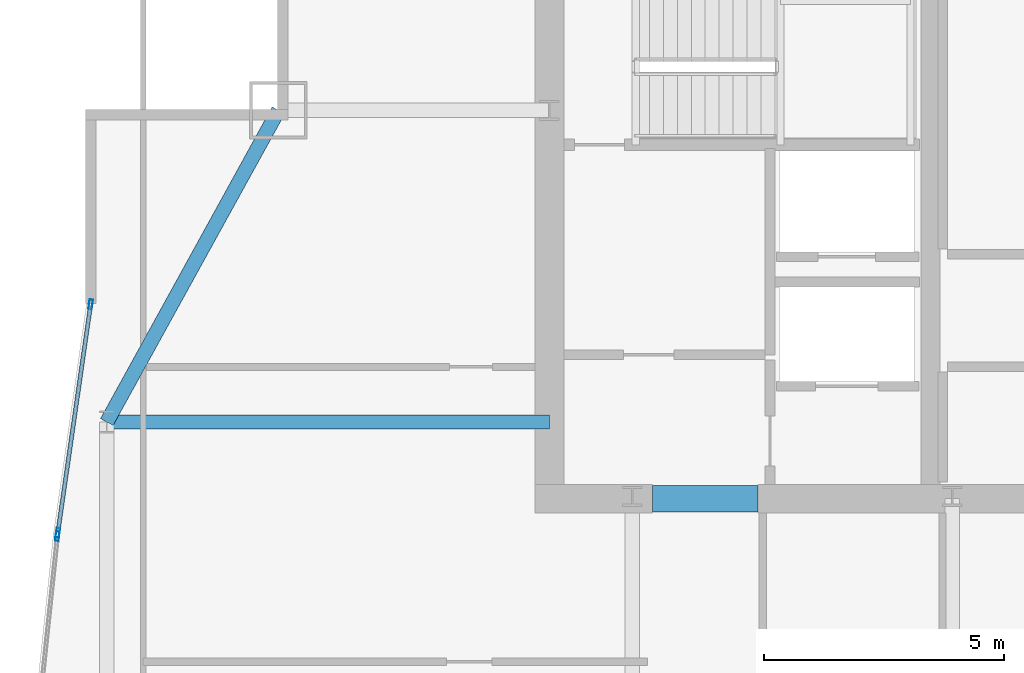
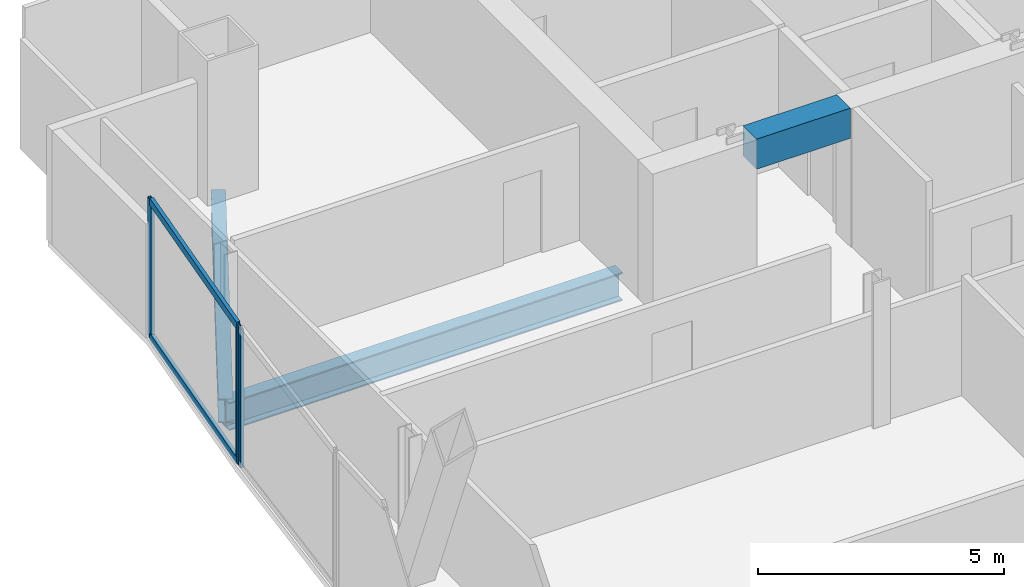
# One storey, part 22 of 32: 5 members, 3 beams, 2 elements without a shape of their own.
"""IFC4 building model written with IfcOpenShell, lengths in metres."""

from ifc_helpers import new_model, si_unit, direction, frame, origin, origin_2d, place, context, subcontext, project, spatial, rectangle, hollow_rectangle, i_section, extrude, material, material_profile, profile_set, type_object, element, aggregate, save


model = new_model("IFC4")

# Units and contexts
model_context = context("Model", 3, precision=1e-05, world=origin(), true_north=direction((0.0, 1.0)))
body_context = subcontext(model_context, "Body", "Model", "MODEL_VIEW")
ifc_project = project(units=[si_unit("LENGTHUNIT", "METRE"), si_unit("AREAUNIT", "SQUARE_METRE"), si_unit("VOLUMEUNIT", "CUBIC_METRE"), si_unit("PLANEANGLEUNIT", "RADIAN"), si_unit("MASSUNIT", "GRAM", prefix="KILO")], contexts=[model_context])

# Site, building, storey
site_placement = place(None, origin())
site = spatial("IfcSite", under=ifc_project, at=site_placement, CompositionType="ELEMENT")
building_placement = place(site_placement, origin())
building = spatial("IfcBuilding", under=site, at=building_placement, Name="Khoronbel Lancet Exchange", CompositionType="ELEMENT")
storey_placement = place(building_placement, frame((0.0, 0.0, 199.39990234375)))
storey = spatial("IfcBuildingStorey", under=building, at=storey_placement, Name="L50", CompositionType="ELEMENT", Elevation=199.39990234375)

# Beams
ifc_material_1 = material(Name="Steel S355", Category="steel")
ifc_material_profile_1 = material_profile(ifc_material_1, i_section(OverallWidth=0.300048828125, OverallDepth=0.699951171875, WebThickness=0.01708984375, FlangeThickness=0.031982421875, at=origin_2d()), Name="HEB 700")
ifc_profile_set_1 = profile_set([ifc_material_profile_1], Name="Steel S355")
beam_type_1 = type_object("IfcBeamType", Name="BM-BG3", PredefinedType="BEAM", material=ifc_profile_set_1)
beam_1_placement = place(storey_placement, frame((7.27001953125, 43.199951171875, -0.510009765625), z_axis=(1.0, 0.0, 0.0), x_axis=(0.0, 1.0, 0.0)))
element("IfcBeam", 1, at=beam_1_placement, inside=storey, type_object=beam_type_1, Name="Level L50 west lens tie girder LG3W", PredefinedType="BEAM", context=body_context, shape_type="SweptSolid", body=[
    extrude(i_section(OverallWidth=0.300048828125, OverallDepth=0.699951171875, WebThickness=0.01708984375, FlangeThickness=0.031982421875, at=origin_2d()), origin(), (0.0, 0.0, 1.0), 9.22998046875),
])
ifc_material_2 = material(Name="Concrete C60/75", Category="concrete")
ifc_material_profile_2 = material_profile(ifc_material_2, rectangle(XDim=0.550048828125, YDim=0.75, at=origin_2d()), Name="RC 550x750")
ifc_profile_set_2 = profile_set([ifc_material_profile_2], Name="Concrete C60/75")
beam_type_2 = type_object("IfcBeamType", Name="BM-BL2", PredefinedType="LINTEL", material=ifc_profile_set_2)
beam_2_placement = place(storey_placement, frame((18.64990234375, 41.60009765625, 3.065185546875), z_axis=(1.0, 0.0, 0.0), x_axis=(0.0, 1.0, 0.0)))
element("IfcBeam", 2, at=beam_2_placement, inside=storey, type_object=beam_type_2, Name="Level L50 rear core coupling lintel L1", PredefinedType="LINTEL", context=body_context, shape_type="SweptSolid", body=[
    extrude(rectangle(XDim=0.550048828125, YDim=0.75, at=origin_2d()), origin(), (0.0, 0.0, 1.0), 2.2001953125),
])
ifc_material_profile_3 = material_profile(ifc_material_1, i_section(OverallWidth=0.300048828125, OverallDepth=0.60009765625, WebThickness=0.015380859375, FlangeThickness=0.030029296875, at=origin_2d()), Name="HEB 600")
ifc_profile_set_3 = profile_set([ifc_material_profile_3], Name="Steel S355")
beam_type_3 = type_object("IfcBeamType", Name="BM-BSP2", PredefinedType="SPANDREL", material=ifc_profile_set_3)
beam_3_placement = place(storey_placement, frame((10.85009765625, 49.699951171875, -0.4599609375), z_axis=(-0.482444051088, -0.875926787791, 0.0), x_axis=(0.875926787791, -0.482444051088, 0.0)))
element("IfcBeam", 3, at=beam_3_placement, inside=storey, type_object=beam_type_3, Name="Level L50 perimeter spandrel beam SP16", PredefinedType="SPANDREL", context=body_context, shape_type="SweptSolid", body=[
    extrude(i_section(OverallWidth=0.300048828125, OverallDepth=0.60009765625, WebThickness=0.015380859375, FlangeThickness=0.030029296875, at=origin_2d()), origin(), (0.0, 0.0, 1.0), 7.420654296875),
])

# Curtain wall, member
ifc_material_3 = material(Name="Low-E Solar Control Insulating Glass", Category="glass")
curtain_wall_type = type_object("IfcCurtainWallType", Name="CW-4", PredefinedType="NOTDEFINED", material=ifc_material_3)
curtain_wall_1_placement = place(storey_placement, origin())
curtain_wall_1 = element("IfcCurtainWall", 4, at=curtain_wall_1_placement, inside=storey, type_object=curtain_wall_type, Name="Unitised curtain wall CW-L50-E08", PredefinedType="NOTDEFINED")
ifc_material_4 = material(Name="Bronze-Anodised Aluminium 6063-T6", Category="aluminium")
ifc_material_profile_4 = material_profile(ifc_material_4, hollow_rectangle(XDim=0.074951171875, YDim=0.199951171875, WallThickness=0.0048828125, at=origin_2d()), Name="ALU MULLION 75x200")
ifc_profile_set_4 = profile_set([ifc_material_profile_4], Name="Bronze-Anodised Aluminium 6063-T6")
member_type_1 = type_object("IfcMemberType", Name="MEM-CWM2", PredefinedType="MULLION", material=ifc_profile_set_4)
member_1_placement = place(storey_placement, frame((6.240478515625, 40.818359375, 0.0), z_axis=(0.0, 0.0, 1.0), x_axis=(-0.994505340069, 0.104685856606, 0.0)))
member_1 = element("IfcMember", 5, at=member_1_placement, type_object=member_type_1, Name="CW4 mullion 2", PredefinedType="MULLION", context=body_context, shape_type="SweptSolid", body=[
    extrude(hollow_rectangle(XDim=0.074951171875, YDim=0.199951171875, WallThickness=0.0048828125, at=origin_2d()), origin(), (0.0, 0.0, 1.0), 3.440185546875),
])
aggregate(curtain_wall_1, [member_1])

# Curtain wall, members
curtain_wall_2_placement = place(storey_placement, origin())
curtain_wall_2 = element("IfcCurtainWall", 6, at=curtain_wall_2_placement, inside=storey, type_object=curtain_wall_type, Name="Unitised curtain wall CW-L50-E09", PredefinedType="NOTDEFINED")
member_2_placement = place(storey_placement, frame((6.249755859375, 40.892822265625, 0.0), z_axis=(0.0, 0.0, 1.0), x_axis=(-0.989821424195, 0.142314961279, 0.0)))
member_2 = element("IfcMember", 7, at=member_2_placement, type_object=member_type_1, Name="CW4 mullion 1", PredefinedType="MULLION", context=body_context, shape_type="SweptSolid", body=[
    extrude(hollow_rectangle(XDim=0.074951171875, YDim=0.199951171875, WallThickness=0.0048828125, at=origin_2d()), origin(), (0.0, 0.0, 1.0), 3.440185546875),
])
member_3_placement = place(storey_placement, frame((6.9345703125, 45.656494140625, 0.0), z_axis=(0.0, 0.0, 1.0), x_axis=(-0.989821424195, 0.142314961279, 0.0)))
member_3 = element("IfcMember", 8, at=member_3_placement, type_object=member_type_1, Name="CW4 mullion 2", PredefinedType="MULLION", context=body_context, shape_type="SweptSolid", body=[
    extrude(hollow_rectangle(XDim=0.074951171875, YDim=0.199951171875, WallThickness=0.0048828125, at=origin_2d()), origin(), (0.0, 0.0, 1.0), 3.440185546875),
])
ifc_material_profile_5 = material_profile(ifc_material_4, hollow_rectangle(XDim=0.0849609375, YDim=0.179931640625, WallThickness=0.0048828125, at=origin_2d()), Name="ALU TRANSOM 85x180")
ifc_profile_set_5 = profile_set([ifc_material_profile_5], Name="Bronze-Anodised Aluminium 6063-T6")
member_type_2 = type_object("IfcMemberType", Name="MEM-CWT1", PredefinedType="USERDEFINED", material=ifc_profile_set_5)
member_4_placement = place(storey_placement, frame((6.255126953125, 40.929931640625, 0.04248046875), z_axis=(0.142330314264, 0.989819216646, 0.0), x_axis=(-0.989819216646, 0.142330314264, 0.0)))
member_4 = element("IfcMember", 9, at=member_4_placement, type_object=member_type_2, Name="CW4 transom 1.1", ObjectType="TRANSOM", PredefinedType="USERDEFINED", context=body_context, shape_type="SweptSolid", body=[
    extrude(hollow_rectangle(XDim=0.0849609375, YDim=0.179931640625, WallThickness=0.0048828125, at=origin_2d()), origin(), (0.0, 0.0, 1.0), 4.73779296875),
])
member_5_placement = place(storey_placement, frame((6.255126953125, 40.929931640625, 3.397705078125), z_axis=(0.142330314264, 0.989819216646, 0.0), x_axis=(-0.989819216646, 0.142330314264, 0.0)))
member_5 = element("IfcMember", 10, at=member_5_placement, type_object=member_type_2, Name="CW4 transom 1.2", ObjectType="TRANSOM", PredefinedType="USERDEFINED", context=body_context, shape_type="SweptSolid", body=[
    extrude(hollow_rectangle(XDim=0.0849609375, YDim=0.179931640625, WallThickness=0.0048828125, at=origin_2d()), origin(), (0.0, 0.0, 1.0), 4.73779296875),
])
aggregate(curtain_wall_2, [member_2, member_3, member_4, member_5])

save(model, "model.ifc")
